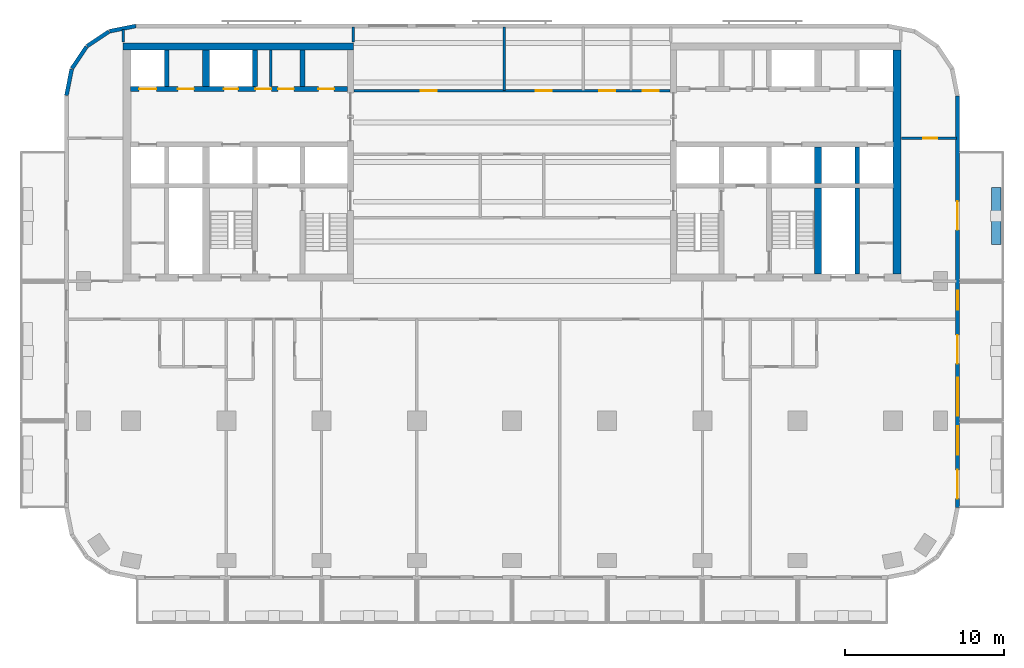
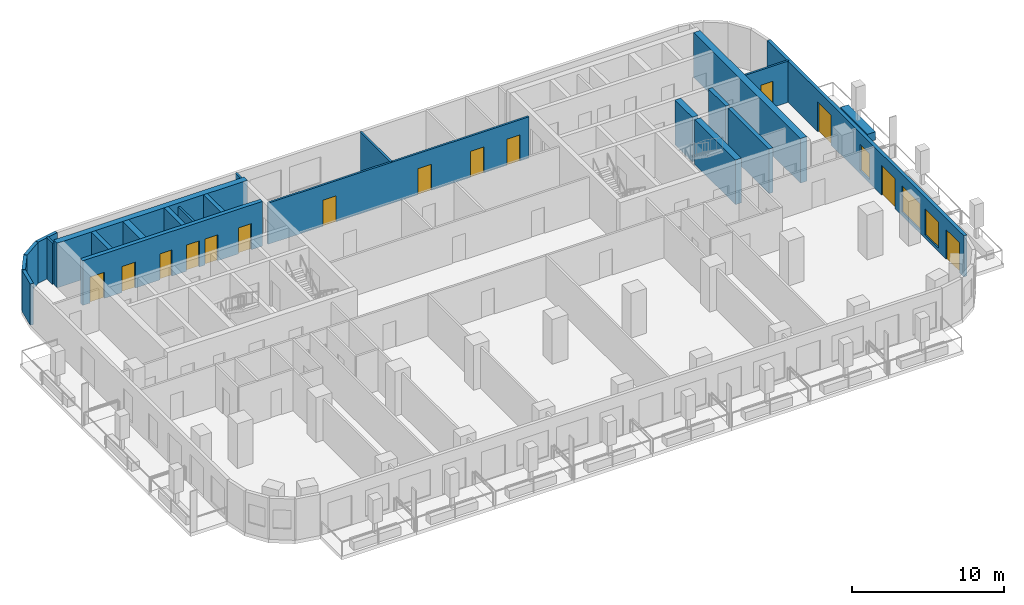
# One storey, part 6 of 11: 23 walls, 14 doors, 3 windows, 17 openings.
"""IFC4 building model written with IfcOpenShell, lengths in metres."""

from ifc_helpers import new_model, si_unit, direction, frame, frame_2d, origin, place, context, subcontext, project, spatial, rectangle, extrude, material, layer, layer_set, type_object, element, fill, save


model = new_model("IFC4")

# Units and contexts
model_context = context("Model", 3, precision=1e-05, world=origin(), true_north=direction((0.0, 1.0)))
body_context = subcontext(model_context, "Body", "Model", "MODEL_VIEW")
ifc_project = project(units=[si_unit("LENGTHUNIT", "METRE"), si_unit("AREAUNIT", "SQUARE_METRE"), si_unit("VOLUMEUNIT", "CUBIC_METRE"), si_unit("PLANEANGLEUNIT", "RADIAN"), si_unit("MASSUNIT", "GRAM", prefix="KILO")], contexts=[model_context])

# Site, building, storey
site_placement = place(None, origin())
site = spatial("IfcSite", under=ifc_project, at=site_placement, CompositionType="ELEMENT")
building_placement = place(site_placement, origin())
building = spatial("IfcBuilding", under=site, at=building_placement, Name="Torana Hotel and Residences", CompositionType="ELEMENT")
storey_placement = place(building_placement, frame((0.0, 0.0, 138.0)))
storey = spatial("IfcBuildingStorey", under=building, at=storey_placement, Name="L35", CompositionType="ELEMENT", Elevation=138.0)

# Wall, openings, doors
ifc_material_1 = material(Name="Concrete C70/85", Category="concrete")
ifc_layer_1 = layer(ifc_material_1, 0.300048828125)
ifc_layer_set_1 = layer_set([ifc_layer_1], Name="CORE WALL 300 C70/85")
wall_type_1 = type_object("IfcWallType", Name="CORE WALL 300 C70/85", PredefinedType="SHEAR", material=ifc_layer_set_1)
wall_1_placement = place(storey_placement, frame((-24.050048828125, -2.89990234375, 0.0), z_axis=(0.0, 0.0, 1.0), x_axis=(1.0, 0.0, 0.0)))
wall_1 = element("IfcWall", 1, at=wall_1_placement, inside=storey, type_object=wall_type_1, Name="Core wall W row-N", PredefinedType="SHEAR", context=body_context, shape_type="SweptSolid", body=[
    extrude(rectangle(XDim=13.699951171875, YDim=0.300048828125, at=frame_2d((6.85009765625, 0.0))), origin(), (0.0, 0.0, 1.0), 3.60009765625),
])
opening_1_placement = place(wall_1_placement, frame((0.550048828125, 0.0, 0.0)))
opening_1 = element("IfcOpeningElement", 2, at=opening_1_placement, cuts=wall_1, Name="Opening LD", PredefinedType="OPENING", context=body_context, shape_type="SweptSolid", body=[
    extrude(rectangle(XDim=1.10009765625, YDim=2.10009765625, at=frame_2d((0.550048828125, 1.050048828125))), frame((0.0, 0.159912109375, 0.0), z_axis=(0.0, -1.0, 0.0), x_axis=(1.0, 0.0, 0.0)), (0.0, 0.0, 1.0), 0.320068359375),
])
opening_2_placement = place(wall_1_placement, frame((5.89990234375, 0.0, 0.0)))
opening_2 = element("IfcOpeningElement", 3, at=opening_2_placement, cuts=wall_1, Name="Opening L35-08", PredefinedType="OPENING", context=body_context, shape_type="SweptSolid", body=[
    extrude(rectangle(XDim=0.89990234375, YDim=2.10009765625, at=frame_2d((0.449951171875, 1.050048828125))), frame((0.0, 0.159912109375, 0.0), z_axis=(0.0, -1.0, 0.0), x_axis=(1.0, 0.0, 0.0)), (0.0, 0.0, 1.0), 0.320068359375),
])
opening_3_placement = place(wall_1_placement, frame((11.85009765625, 0.0, 0.0)))
opening_3 = element("IfcOpeningElement", 4, at=opening_3_placement, cuts=wall_1, Name="Opening L35-09", PredefinedType="OPENING", context=body_context, shape_type="SweptSolid", body=[
    extrude(rectangle(XDim=1.0, YDim=2.10009765625, at=frame_2d((0.5, 1.050048828125))), frame((0.0, 0.159912109375, 0.0), z_axis=(0.0, -1.0, 0.0), x_axis=(1.0, 0.0, 0.0)), (0.0, 0.0, 1.0), 0.320068359375),
])
opening_4_placement = place(wall_1_placement, frame((9.3125, 0.0, 0.0)))
opening_4 = element("IfcOpeningElement", 5, at=opening_4_placement, cuts=wall_1, Name="Opening L35-10", PredefinedType="OPENING", context=body_context, shape_type="SweptSolid", body=[
    extrude(rectangle(XDim=1.0, YDim=2.10009765625, at=frame_2d((0.5, 1.050048828125))), frame((0.0, 0.159912109375, 0.0), z_axis=(0.0, -1.0, 0.0), x_axis=(1.0, 0.0, 0.0)), (0.0, 0.0, 1.0), 0.320068359375),
])
opening_5_placement = place(wall_1_placement, frame((7.887451171875, 0.0, 0.0)))
opening_5 = element("IfcOpeningElement", 6, at=opening_5_placement, cuts=wall_1, Name="Opening L35-11", PredefinedType="OPENING", context=body_context, shape_type="SweptSolid", body=[
    extrude(rectangle(XDim=1.0, YDim=2.10009765625, at=frame_2d((0.5, 1.050048828125))), frame((0.0, 0.159912109375, 0.0), z_axis=(0.0, -1.0, 0.0), x_axis=(1.0, 0.0, 0.0)), (0.0, 0.0, 1.0), 0.320068359375),
])
opening_6_placement = place(wall_1_placement, frame((3.0, 0.0, 0.0)))
opening_6 = element("IfcOpeningElement", 7, at=opening_6_placement, cuts=wall_1, Name="Opening L35-12", PredefinedType="OPENING", context=body_context, shape_type="SweptSolid", body=[
    extrude(rectangle(XDim=1.0, YDim=2.10009765625, at=frame_2d((0.5, 1.050048828125))), frame((0.0, 0.159912109375, 0.0), z_axis=(0.0, -1.0, 0.0), x_axis=(1.0, 0.0, 0.0)), (0.0, 0.0, 1.0), 0.320068359375),
])
ifc_material_2 = material(Name="Steel S235", Category="steel")
door_type_1 = type_object("IfcDoorType", Name="CORE ROOM FIRE DOOR D14 1000x2100", OperationType="SINGLE_SWING_LEFT", PredefinedType="DOOR", material=ifc_material_2)
door_1_placement = place(opening_3_placement, origin())
door_1 = element("IfcDoor", 8, at=door_1_placement, inside=storey, type_object=door_type_1, Name="N0 door L35", OperationType="SINGLE_SWING_RIGHT", OverallHeight=2.10009765625, OverallWidth=1.0, PredefinedType="DOOR", context=body_context, shape_type="SweptSolid", body=[
    extrude(rectangle(XDim=1.0, YDim=2.10009765625, at=frame_2d((0.5, 1.050048828125))), frame((0.0, 0.02490234375, 0.0), z_axis=(0.0, -1.0, 0.0), x_axis=(1.0, 0.0, 0.0)), (0.0, 0.0, 1.0), 0.050048828125),
])
fill(opening_3, door_1)
door_2_placement = place(opening_4_placement, origin())
door_2 = element("IfcDoor", 9, at=door_2_placement, inside=storey, type_object=door_type_1, Name="N1A door L35", OperationType="SINGLE_SWING_RIGHT", OverallHeight=2.10009765625, OverallWidth=1.0, PredefinedType="DOOR", context=body_context, shape_type="SweptSolid", body=[
    extrude(rectangle(XDim=1.0, YDim=2.10009765625, at=frame_2d((0.5, 1.050048828125))), frame((0.0, 0.02490234375, 0.0), z_axis=(0.0, -1.0, 0.0), x_axis=(1.0, 0.0, 0.0)), (0.0, 0.0, 1.0), 0.050048828125),
])
fill(opening_4, door_2)
door_3_placement = place(opening_5_placement, origin())
door_3 = element("IfcDoor", 10, at=door_3_placement, inside=storey, type_object=door_type_1, Name="N1B door L35", OperationType="SINGLE_SWING_RIGHT", OverallHeight=2.10009765625, OverallWidth=1.0, PredefinedType="DOOR", context=body_context, shape_type="SweptSolid", body=[
    extrude(rectangle(XDim=1.0, YDim=2.10009765625, at=frame_2d((0.5, 1.050048828125))), frame((0.0, 0.02490234375, 0.0), z_axis=(0.0, -1.0, 0.0), x_axis=(1.0, 0.0, 0.0)), (0.0, 0.0, 1.0), 0.050048828125),
])
fill(opening_5, door_3)
door_4_placement = place(opening_6_placement, origin())
door_4 = element("IfcDoor", 11, at=door_4_placement, inside=storey, type_object=door_type_1, Name="Freed-S1 door L35", OperationType="SINGLE_SWING_RIGHT", OverallHeight=2.10009765625, OverallWidth=1.0, PredefinedType="DOOR", context=body_context, shape_type="SweptSolid", body=[
    extrude(rectangle(XDim=1.0, YDim=2.10009765625, at=frame_2d((0.5, 1.050048828125))), frame((0.0, 0.02490234375, 0.0), z_axis=(0.0, -1.0, 0.0), x_axis=(1.0, 0.0, 0.0)), (0.0, 0.0, 1.0), 0.050048828125),
])
fill(opening_6, door_4)
ifc_material_3 = material(Name="Stainless steel 316", Category="steel")
door_type_2 = type_object("IfcDoorType", Name="LIFT LANDING DOOR LD 1100x2100", OperationType="DOUBLE_DOOR_SLIDING", PredefinedType="USERDEFINED", material=ifc_material_3)
door_5_placement = place(opening_1_placement, origin())
door_5 = element("IfcDoor", 12, at=door_5_placement, inside=storey, type_object=door_type_2, Name="Lift landing door M1 L35", ObjectType="LIFT LANDING DOOR", OperationType="DOUBLE_DOOR_SLIDING", OverallHeight=2.10009765625, OverallWidth=1.10009765625, PredefinedType="USERDEFINED", context=body_context, shape_type="SweptSolid", body=[
    extrude(rectangle(XDim=1.10009765625, YDim=2.10009765625, at=frame_2d((0.550048828125, 1.050048828125))), frame((0.0, 0.02490234375, 0.0), z_axis=(0.0, -1.0, 0.0), x_axis=(1.0, 0.0, 0.0)), (0.0, 0.0, 1.0), 0.050048828125),
])
fill(opening_1, door_5)
ifc_material_4 = material(Name="Steel S235", Category="steel")
door_type_3 = type_object("IfcDoorType", Name="RISER ACCESS DOOR D5 900x2100", OperationType="SINGLE_SWING_LEFT", PredefinedType="DOOR", material=ifc_material_4)
door_6_placement = place(opening_2_placement, origin())
door_6 = element("IfcDoor", 13, at=door_6_placement, inside=storey, type_object=door_type_3, Name="N2 door L35", OperationType="SINGLE_SWING_RIGHT", OverallHeight=2.10009765625, OverallWidth=0.89990234375, PredefinedType="DOOR", context=body_context, shape_type="SweptSolid", body=[
    extrude(rectangle(XDim=0.89990234375, YDim=2.10009765625, at=frame_2d((0.449951171875, 1.050048828125))), frame((0.0, 0.02490234375, 0.0), z_axis=(0.0, -1.0, 0.0), x_axis=(1.0, 0.0, 0.0)), (0.0, 0.0, 1.0), 0.050048828125),
])
fill(opening_2, door_6)

# Walls
for number, where, z_axis, x_axis, name in (
    (14, (-13.199951171875, -2.75, 0.0), (0.0, 0.0, 1.0), (0.0, 1.0, 0.0), "Core wall W x3.05-N"),
    (15, (-16.199951171875, -2.75, 0.0), (0.0, 0.0, 1.0), (0.0, 1.0, 0.0), "Core wall W x6.05-N"),
    (16, (-21.75, -2.75, 0.0), (0.0, 0.0, 1.0), (0.0, 1.0, 0.0), "Core wall W mm-N"),
    (17, (21.75, -8.85009765625, 0.0), (0.0, 0.0, 1.0), (0.0, 1.0, 0.0), "Core wall E mm-S"),
):
    element("IfcWall", number, at=place(storey_placement, frame(where, z_axis=z_axis, x_axis=x_axis)), inside=storey, type_object=wall_type_1, Name=name, PredefinedType="SHEAR", context=body_context, shape_type="SweptSolid", body=[
        extrude(rectangle(XDim=2.300048828125, YDim=0.300048828125, at=frame_2d((1.14990234375, 0.0))), origin(), (0.0, 0.0, 1.0), 3.60009765625),
    ])
wall_2_placement = place(storey_placement, frame((21.75, -14.550048828125, 0.0), z_axis=(0.0, 0.0, 1.0), x_axis=(0.0, 1.0, 0.0)))
element("IfcWall", 18, at=wall_2_placement, inside=storey, type_object=wall_type_1, Name="Core wall E mm-band", PredefinedType="SHEAR", context=body_context, shape_type="SweptSolid", body=[
    extrude(rectangle(XDim=5.400146484375, YDim=0.300048828125, at=frame_2d((2.7001953125, 0.0))), origin(), (0.0, 0.0, 1.0), 3.60009765625),
])
ifc_material_5 = material(Name="Concrete C70/85", Category="concrete")
ifc_layer_2 = layer(ifc_material_5, 0.449951171875)
ifc_layer_set_2 = layer_set([ifc_layer_2], Name="CORE WALL 450 C70/85")
wall_type_2 = type_object("IfcWallType", Name="CORE WALL 450 C70/85", PredefinedType="SHEAR", material=ifc_layer_set_2)
wall_3_placement = place(storey_placement, frame((-24.5, -0.22509765625, 0.0), z_axis=(0.0, 0.0, 1.0), x_axis=(1.0, 0.0, 0.0)))
element("IfcWall", 19, at=wall_3_placement, inside=storey, type_object=wall_type_2, Name="Core wall W rear", PredefinedType="SHEAR", context=body_context, shape_type="SweptSolid", body=[
    extrude(rectangle(XDim=14.5, YDim=0.449951171875, at=frame_2d((7.25, 0.0))), origin(), (0.0, 0.0, 1.0), 3.60009765625),
])
for number, where, z_axis, x_axis, name in (
    (20, (-19.27490234375, -2.75, 0.0), (0.0, 0.0, 1.0), (0.0, 1.0, 0.0), "Core wall W hm-N"),
    (21, (19.27490234375, -8.85009765625, 0.0), (0.0, 0.0, 1.0), (0.0, 1.0, 0.0), "Core wall E hm-S"),
):
    element("IfcWall", number, at=place(storey_placement, frame(where, z_axis=z_axis, x_axis=x_axis)), inside=storey, type_object=wall_type_2, Name=name, PredefinedType="SHEAR", context=body_context, shape_type="SweptSolid", body=[
        extrude(rectangle(XDim=2.300048828125, YDim=0.449951171875, at=frame_2d((1.14990234375, 0.0))), origin(), (0.0, 0.0, 1.0), 3.60009765625),
    ])
wall_4_placement = place(storey_placement, frame((19.27490234375, -14.550048828125, 0.0), z_axis=(0.0, 0.0, 1.0), x_axis=(0.0, 1.0, 0.0)))
element("IfcWall", 22, at=wall_4_placement, inside=storey, type_object=wall_type_2, Name="Core wall E hm-band", PredefinedType="SHEAR", context=body_context, shape_type="SweptSolid", body=[
    extrude(rectangle(XDim=5.400146484375, YDim=0.449951171875, at=frame_2d((2.7001953125, 0.0))), origin(), (0.0, 0.0, 1.0), 3.60009765625),
])
ifc_material_6 = material(Name="Concrete C70/85", Category="concrete")
ifc_layer_3 = layer(ifc_material_6, 0.5)
ifc_layer_set_3 = layer_set([ifc_layer_3], Name="CORE WALL 500 C70/85")
wall_type_3 = type_object("IfcWallType", Name="CORE WALL 500 C70/85", PredefinedType="SHEAR", material=ifc_layer_set_3)
wall_5_placement = place(storey_placement, frame((24.25, -14.550048828125, 0.0), z_axis=(0.0, 0.0, 1.0), x_axis=(0.0, 1.0, 0.0)))
element("IfcWall", 23, at=wall_5_placement, inside=storey, type_object=wall_type_3, Name="Core wall E outer", PredefinedType="SHEAR", context=body_context, shape_type="SweptSolid", body=[
    extrude(rectangle(XDim=14.10009765625, YDim=0.5, at=frame_2d((7.050048828125, 0.0))), origin(), (0.0, 0.0, 1.0), 3.60009765625),
])
ifc_material_7 = material(Name="Black aluminium composite panel", Category="aluminium")
ifc_layer_4 = layer(ifc_material_7, 0.00390625, Name="Cladding", Category="cladding")
ifc_material_8 = material(Name="Ventilated air cavity")
ifc_layer_5 = layer(ifc_material_8, 0.0400390625, Name="Ventilated cavity", Category="cavity")
ifc_material_9 = material(Name="Mineral wool insulation")
ifc_layer_6 = layer(ifc_material_9, 0.090087890625, Name="Insulation", Category="insulation")
ifc_material_10 = material(Name="Steel S280GD", Category="steel")
ifc_layer_7 = layer(ifc_material_10, 0.092041015625, Name="Steel stud frame", Category="structure")
ifc_material_11 = material(Name="Fire rated plasterboard")
ifc_layer_8 = layer(ifc_material_11, 0.011962890625, Name="Inner board", Category="finish")
ifc_layer_9 = layer(ifc_material_11, 0.011962890625, Name="Second board", Category="finish")
ifc_layer_set_4 = layer_set([ifc_layer_4, ifc_layer_5, ifc_layer_6, ifc_layer_7, ifc_layer_8, ifc_layer_9], Name="EW1 EXTERNAL WALL BLACK METAL CLAD 250")
wall_type_4 = type_object("IfcWallType", Name="EW1 EXTERNAL WALL BLACK METAL CLAD 250", PredefinedType="SOLIDWALL", material=ifc_layer_set_4)
wall_6_placement = place(storey_placement, frame((-23.69970703125, 1.072509765625, 0.0), z_axis=(0.0, 0.0, 1.0), x_axis=(-0.980803419081, -0.194999110559, 0.0)))
element("IfcWall", 24, at=wall_6_placement, inside=storey, type_object=wall_type_4, Name="External wall L35 e0.5", PredefinedType="SOLIDWALL", context=body_context, shape_type="SweptSolid", body=[
    extrude(rectangle(XDim=1.681396484375, YDim=0.25, at=frame_2d((0.8408203125, 0.0))), origin(), (0.0, 0.0, 1.0), 3.320068359375),
])
for number, where, z_axis, x_axis, name in (
    (25, (-25.39404296875, 0.725830078125, 0.0), (0.0, 0.0, 1.0), (-0.831482937015, -0.55555029066, 0.0), "External wall L35 e0.6"),
    (26, (-26.8056640625, -0.228759765625, 0.0), (0.0, 0.0, 1.0), (-0.55555029066, -0.831482937015, 0.0), "External wall L35 e0.7"),
):
    element("IfcWall", number, at=place(storey_placement, frame(where, z_axis=z_axis, x_axis=x_axis)), inside=storey, type_object=wall_type_4, Name=name, PredefinedType="SOLIDWALL", context=body_context, shape_type="SweptSolid", body=[
        extrude(rectangle(XDim=1.65625, YDim=0.25, at=frame_2d((0.828125, 0.0))), origin(), (0.0, 0.0, 1.0), 3.320068359375),
    ])
wall_7_placement = place(storey_placement, frame((-27.74462890625, -1.651123046875, 0.0), z_axis=(0.0, 0.0, 1.0), x_axis=(-0.194999110559, -0.980803419081, 0.0)))
element("IfcWall", 27, at=wall_7_placement, inside=storey, type_object=wall_type_4, Name="External wall L35 e0.8", PredefinedType="SOLIDWALL", context=body_context, shape_type="SweptSolid", body=[
    extrude(rectangle(XDim=1.681396484375, YDim=0.25, at=frame_2d((0.8408203125, 0.0))), origin(), (0.0, 0.0, 1.0), 3.320068359375),
])

# Wall, openings, doors, windows
wall_8_placement = place(storey_placement, frame((28.074951171875, -29.275390625, 0.0), z_axis=(0.0, 0.0, 1.0), x_axis=(0.0, 1.0, 0.0)))
wall_8 = element("IfcWall", 28, at=wall_8_placement, inside=storey, type_object=wall_type_4, Name="External wall L35 e0.19", PredefinedType="SOLIDWALL", context=body_context, shape_type="SweptSolid", body=[
    extrude(rectangle(XDim=25.95068359375, YDim=0.25, at=frame_2d((12.975341796875, 0.0))), origin(), (0.0, 0.0, 1.0), 3.320068359375),
])
opening_7_placement = place(wall_8_placement, frame((0.575439453125, 0.0, 0.0)))
opening_7 = element("IfcOpeningElement", 29, at=opening_7_placement, cuts=wall_8, Name="Opening L35-E09", PredefinedType="OPENING", context=body_context, shape_type="SweptSolid", body=[
    extrude(rectangle(XDim=1.800048828125, YDim=2.39990234375, at=frame_2d((0.89990234375, 1.199951171875))), frame((0.0, 0.135009765625, 0.0), z_axis=(0.0, -1.0, 0.0), x_axis=(1.0, 0.0, 0.0)), (0.0, 0.0, 1.0), 0.27001953125),
])
opening_8_placement = place(wall_8_placement, frame((3.325439453125, 0.0, 0.300048828125)))
opening_8 = element("IfcOpeningElement", 30, at=opening_8_placement, cuts=wall_8, Name="Opening W2", PredefinedType="OPENING", context=body_context, shape_type="SweptSolid", body=[
    extrude(rectangle(XDim=1.800048828125, YDim=2.10009765625, at=frame_2d((0.89990234375, 1.050048828125))), frame((0.0, 0.135009765625, 0.0), z_axis=(0.0, -1.0, 0.0), x_axis=(1.0, 0.0, 0.0)), (0.0, 0.0, 1.0), 0.27001953125),
])
opening_9_placement = place(wall_8_placement, frame((5.775390625, 0.0, 0.300048828125)))
opening_9 = element("IfcOpeningElement", 31, at=opening_9_placement, cuts=wall_8, Name="Opening W1", PredefinedType="OPENING", context=body_context, shape_type="SweptSolid", body=[
    extrude(rectangle(XDim=2.39990234375, YDim=2.10009765625, at=frame_2d((1.199951171875, 1.050048828125))), frame((0.0, 0.135009765625, 0.0), z_axis=(0.0, -1.0, 0.0), x_axis=(1.0, 0.0, 0.0)), (0.0, 0.0, 1.0), 0.27001953125),
])
opening_10_placement = place(wall_8_placement, frame((9.075439453125, 0.0, 0.0)))
opening_10 = element("IfcOpeningElement", 32, at=opening_10_placement, cuts=wall_8, Name="Opening L35-E10", PredefinedType="OPENING", context=body_context, shape_type="SweptSolid", body=[
    extrude(rectangle(XDim=1.800048828125, YDim=2.39990234375, at=frame_2d((0.89990234375, 1.199951171875))), frame((0.0, 0.135009765625, 0.0), z_axis=(0.0, -1.0, 0.0), x_axis=(1.0, 0.0, 0.0)), (0.0, 0.0, 1.0), 0.27001953125),
])
opening_11_placement = place(wall_8_placement, frame((12.475341796875, 0.0, 0.300048828125)))
opening_11 = element("IfcOpeningElement", 33, at=opening_11_placement, cuts=wall_8, Name="Opening W7", PredefinedType="OPENING", context=body_context, shape_type="SweptSolid", body=[
    extrude(rectangle(XDim=1.199951171875, YDim=2.10009765625, at=frame_2d((0.60009765625, 1.050048828125))), frame((0.0, 0.135009765625, 0.0), z_axis=(0.0, -1.0, 0.0), x_axis=(1.0, 0.0, 0.0)), (0.0, 0.0, 1.0), 0.27001953125),
])
opening_12_placement = place(wall_8_placement, frame((17.50048828125, 0.0, 0.0)))
opening_12 = element("IfcOpeningElement", 34, at=opening_12_placement, cuts=wall_8, Name="Opening L35-E11", PredefinedType="OPENING", context=body_context, shape_type="SweptSolid", body=[
    extrude(rectangle(XDim=1.800048828125, YDim=2.39990234375, at=frame_2d((0.89990234375, 1.199951171875))), frame((0.0, 0.135009765625, 0.0), z_axis=(0.0, -1.0, 0.0), x_axis=(1.0, 0.0, 0.0)), (0.0, 0.0, 1.0), 0.27001953125),
])
ifc_material_12 = material(Name="Dark glass in black aluminium frame", Category="aluminium")
door_type_4 = type_object("IfcDoorType", Name="DB1 BALCONY DOOR 1800x2400", OperationType="DOUBLE_DOOR_SINGLE_SWING", PredefinedType="DOOR", material=ifc_material_12)
door_7_placement = place(opening_7_placement, origin())
door_7 = element("IfcDoor", 35, at=door_7_placement, inside=storey, type_object=door_type_4, Name="Balcony door L35", OperationType="DOUBLE_DOOR_SINGLE_SWING", OverallHeight=2.39990234375, OverallWidth=1.800048828125, PredefinedType="DOOR", context=body_context, shape_type="SweptSolid", body=[
    extrude(rectangle(XDim=1.800048828125, YDim=2.39990234375, at=frame_2d((0.89990234375, 1.199951171875))), frame((0.0, 0.02490234375, 0.0), z_axis=(0.0, -1.0, 0.0), x_axis=(1.0, 0.0, 0.0)), (0.0, 0.0, 1.0), 0.050048828125),
])
fill(opening_7, door_7)
door_8_placement = place(opening_10_placement, origin())
door_8 = element("IfcDoor", 36, at=door_8_placement, inside=storey, type_object=door_type_4, Name="Balcony door L35", OperationType="DOUBLE_DOOR_SINGLE_SWING", OverallHeight=2.39990234375, OverallWidth=1.800048828125, PredefinedType="DOOR", context=body_context, shape_type="SweptSolid", body=[
    extrude(rectangle(XDim=1.800048828125, YDim=2.39990234375, at=frame_2d((0.89990234375, 1.199951171875))), frame((0.0, 0.02490234375, 0.0), z_axis=(0.0, -1.0, 0.0), x_axis=(1.0, 0.0, 0.0)), (0.0, 0.0, 1.0), 0.050048828125),
])
fill(opening_10, door_8)
door_9_placement = place(opening_12_placement, origin())
door_9 = element("IfcDoor", 37, at=door_9_placement, inside=storey, type_object=door_type_4, Name="Balcony door L35", OperationType="DOUBLE_DOOR_SINGLE_SWING", OverallHeight=2.39990234375, OverallWidth=1.800048828125, PredefinedType="DOOR", context=body_context, shape_type="SweptSolid", body=[
    extrude(rectangle(XDim=1.800048828125, YDim=2.39990234375, at=frame_2d((0.89990234375, 1.199951171875))), frame((0.0, 0.02490234375, 0.0), z_axis=(0.0, -1.0, 0.0), x_axis=(1.0, 0.0, 0.0)), (0.0, 0.0, 1.0), 0.050048828125),
])
fill(opening_12, door_9)
ifc_material_13 = material(Name="Dark glass in black aluminium frame", Category="aluminium")
window_type_1 = type_object("IfcWindowType", Name="W1 HOTEL ROOM WINDOW 2400x2100", PartitioningType="SINGLE_PANEL", PredefinedType="WINDOW", material=ifc_material_13)
window_1_placement = place(opening_9_placement, origin())
window_1 = element("IfcWindow", 38, at=window_1_placement, inside=storey, type_object=window_type_1, Name="Window L35", OverallHeight=2.10009765625, OverallWidth=2.39990234375, PartitioningType="SINGLE_PANEL", PredefinedType="WINDOW", context=body_context, shape_type="SweptSolid", body=[
    extrude(rectangle(XDim=2.39990234375, YDim=2.10009765625, at=frame_2d((1.199951171875, 1.050048828125))), frame((0.0, 0.030029296875, 0.0), z_axis=(0.0, -1.0, 0.0), x_axis=(1.0, 0.0, 0.0)), (0.0, 0.0, 1.0), 0.06005859375),
])
fill(opening_9, window_1)
ifc_material_14 = material(Name="Dark glass in black aluminium frame", Category="aluminium")
window_type_2 = type_object("IfcWindowType", Name="W2 HOTEL ROOM WINDOW NARROW 1800x2100", PartitioningType="SINGLE_PANEL", PredefinedType="WINDOW", material=ifc_material_14)
window_2_placement = place(opening_8_placement, origin())
window_2 = element("IfcWindow", 39, at=window_2_placement, inside=storey, type_object=window_type_2, Name="Window L35", OverallHeight=2.10009765625, OverallWidth=1.800048828125, PartitioningType="SINGLE_PANEL", PredefinedType="WINDOW", context=body_context, shape_type="SweptSolid", body=[
    extrude(rectangle(XDim=1.800048828125, YDim=2.10009765625, at=frame_2d((0.89990234375, 1.050048828125))), frame((0.0, 0.030029296875, 0.0), z_axis=(0.0, -1.0, 0.0), x_axis=(1.0, 0.0, 0.0)), (0.0, 0.0, 1.0), 0.06005859375),
])
fill(opening_8, window_2)
ifc_material_15 = material(Name="Dark glass in black aluminium frame", Category="aluminium")
window_type_3 = type_object("IfcWindowType", Name="W7 HOTEL CORRIDOR WINDOW 1200x2100", PartitioningType="SINGLE_PANEL", PredefinedType="WINDOW", material=ifc_material_15)
window_3_placement = place(opening_11_placement, origin())
window_3 = element("IfcWindow", 40, at=window_3_placement, inside=storey, type_object=window_type_3, Name="Window L35", OverallHeight=2.10009765625, OverallWidth=1.199951171875, PartitioningType="SINGLE_PANEL", PredefinedType="WINDOW", context=body_context, shape_type="SweptSolid", body=[
    extrude(rectangle(XDim=1.199951171875, YDim=2.10009765625, at=frame_2d((0.60009765625, 1.050048828125))), frame((0.0, 0.030029296875, 0.0), z_axis=(0.0, -1.0, 0.0), x_axis=(1.0, 0.0, 0.0)), (0.0, 0.0, 1.0), 0.06005859375),
])
fill(opening_11, window_3)

# Wall
ifc_material_16 = material(Name="Gypsum plaster")
ifc_layer_10 = layer(ifc_material_16, 0.014892578125, Name="Plaster", Category="finish")
ifc_material_17 = material(Name="Concrete blockwork", Category="masonry")
ifc_layer_11 = layer(ifc_material_17, 0.1201171875, Name="Blockwork", Category="structure")
ifc_layer_12 = layer(ifc_material_16, 0.014892578125, Name="Plaster", Category="finish")
ifc_layer_set_5 = layer_set([ifc_layer_10, ifc_layer_11, ifc_layer_12], Name="FIRE PARTITION 150 BLOCKWORK")
wall_type_5 = type_object("IfcWallType", Name="FIRE PARTITION 150 BLOCKWORK", PredefinedType="PARTITIONING", material=ifc_layer_set_5)
wall_9_placement = place(storey_placement, frame((-15.199951171875, -2.75, 0.0), z_axis=(0.0, 0.0, 1.0), x_axis=(0.0, 1.0, 0.0)))
element("IfcWall", 41, at=wall_9_placement, inside=storey, type_object=wall_type_5, Name="Core partition L35", PredefinedType="PARTITIONING", context=body_context, shape_type="SweptSolid", body=[
    extrude(rectangle(XDim=2.300048828125, YDim=0.14990234375, at=frame_2d((1.14990234375, 0.0))), origin(), (0.0, 0.0, 1.0), 3.300048828125),
])

# Wall, openings, doors
wall_10_placement = place(storey_placement, frame((-9.949951171875, -3.0, 0.0), z_axis=(0.0, 0.0, 1.0), x_axis=(1.0, 0.0, 0.0)))
wall_10 = element("IfcWall", 42, at=wall_10_placement, inside=storey, type_object=wall_type_5, Name="Partition L35", PredefinedType="PARTITIONING", context=body_context, shape_type="SweptSolid", body=[
    extrude(rectangle(XDim=19.89990234375, YDim=0.14990234375, at=frame_2d((9.949951171875, 0.0))), origin(), (0.0, 0.0, 1.0), 3.320068359375),
])
opening_13_placement = place(wall_10_placement, frame((4.199951171875, 0.0, 0.0)))
opening_13 = element("IfcOpeningElement", 43, at=opening_13_placement, cuts=wall_10, Name="Opening L35-47", PredefinedType="OPENING", context=body_context, shape_type="SweptSolid", body=[
    extrude(rectangle(XDim=1.0, YDim=2.10009765625, at=frame_2d((0.5, 1.050048828125))), frame((0.0, 0.0849609375, 0.0), z_axis=(0.0, -1.0, 0.0), x_axis=(1.0, 0.0, 0.0)), (0.0, 0.0, 1.0), 0.169921875),
])
opening_14_placement = place(wall_10_placement, frame((11.449951171875, 0.0, 0.0)))
opening_14 = element("IfcOpeningElement", 44, at=opening_14_placement, cuts=wall_10, Name="Opening L35-48", PredefinedType="OPENING", context=body_context, shape_type="SweptSolid", body=[
    extrude(rectangle(XDim=1.0, YDim=2.10009765625, at=frame_2d((0.5, 1.050048828125))), frame((0.0, 0.0849609375, 0.0), z_axis=(0.0, -1.0, 0.0), x_axis=(1.0, 0.0, 0.0)), (0.0, 0.0, 1.0), 0.169921875),
])
opening_15_placement = place(wall_10_placement, frame((15.449951171875, 0.0, 0.0)))
opening_15 = element("IfcOpeningElement", 45, at=opening_15_placement, cuts=wall_10, Name="Opening L35-49", PredefinedType="OPENING", context=body_context, shape_type="SweptSolid", body=[
    extrude(rectangle(XDim=1.0, YDim=2.10009765625, at=frame_2d((0.5, 1.050048828125))), frame((0.0, 0.0849609375, 0.0), z_axis=(0.0, -1.0, 0.0), x_axis=(1.0, 0.0, 0.0)), (0.0, 0.0, 1.0), 0.169921875),
])
opening_16_placement = place(wall_10_placement, frame((18.199951171875, 0.0, 0.0)))
opening_16 = element("IfcOpeningElement", 46, at=opening_16_placement, cuts=wall_10, Name="Opening L35-50", PredefinedType="OPENING", context=body_context, shape_type="SweptSolid", body=[
    extrude(rectangle(XDim=1.0, YDim=2.10009765625, at=frame_2d((0.5, 1.050048828125))), frame((0.0, 0.0849609375, 0.0), z_axis=(0.0, -1.0, 0.0), x_axis=(1.0, 0.0, 0.0)), (0.0, 0.0, 1.0), 0.169921875),
])
ifc_material_18 = material(Name="Steel S235", Category="steel")
door_type_5 = type_object("IfcDoorType", Name="ENTRY FIRE DOOR D6 1000x2100", OperationType="SINGLE_SWING_LEFT", PredefinedType="DOOR", material=ifc_material_18)
door_10_placement = place(opening_13_placement, origin())
door_10 = element("IfcDoor", 47, at=door_10_placement, inside=storey, type_object=door_type_5, Name="Door L35", OperationType="SINGLE_SWING_RIGHT", OverallHeight=2.10009765625, OverallWidth=1.0, PredefinedType="DOOR", context=body_context, shape_type="SweptSolid", body=[
    extrude(rectangle(XDim=1.0, YDim=2.10009765625, at=frame_2d((0.5, 1.050048828125))), frame((0.0, 0.02490234375, 0.0), z_axis=(0.0, -1.0, 0.0), x_axis=(1.0, 0.0, 0.0)), (0.0, 0.0, 1.0), 0.050048828125),
])
fill(opening_13, door_10)
door_11_placement = place(opening_14_placement, origin())
door_11 = element("IfcDoor", 48, at=door_11_placement, inside=storey, type_object=door_type_5, Name="Door L35", OperationType="SINGLE_SWING_RIGHT", OverallHeight=2.10009765625, OverallWidth=1.0, PredefinedType="DOOR", context=body_context, shape_type="SweptSolid", body=[
    extrude(rectangle(XDim=1.0, YDim=2.10009765625, at=frame_2d((0.5, 1.050048828125))), frame((0.0, 0.02490234375, 0.0), z_axis=(0.0, -1.0, 0.0), x_axis=(1.0, 0.0, 0.0)), (0.0, 0.0, 1.0), 0.050048828125),
])
fill(opening_14, door_11)
door_12_placement = place(opening_15_placement, origin())
door_12 = element("IfcDoor", 49, at=door_12_placement, inside=storey, type_object=door_type_5, Name="Door L35", OperationType="SINGLE_SWING_RIGHT", OverallHeight=2.10009765625, OverallWidth=1.0, PredefinedType="DOOR", context=body_context, shape_type="SweptSolid", body=[
    extrude(rectangle(XDim=1.0, YDim=2.10009765625, at=frame_2d((0.5, 1.050048828125))), frame((0.0, 0.02490234375, 0.0), z_axis=(0.0, -1.0, 0.0), x_axis=(1.0, 0.0, 0.0)), (0.0, 0.0, 1.0), 0.050048828125),
])
fill(opening_15, door_12)
door_13_placement = place(opening_16_placement, origin())
door_13 = element("IfcDoor", 50, at=door_13_placement, inside=storey, type_object=door_type_5, Name="Door L35", OperationType="SINGLE_SWING_RIGHT", OverallHeight=2.10009765625, OverallWidth=1.0, PredefinedType="DOOR", context=body_context, shape_type="SweptSolid", body=[
    extrude(rectangle(XDim=1.0, YDim=2.10009765625, at=frame_2d((0.5, 1.050048828125))), frame((0.0, 0.02490234375, 0.0), z_axis=(0.0, -1.0, 0.0), x_axis=(1.0, 0.0, 0.0)), (0.0, 0.0, 1.0), 0.050048828125),
])
fill(opening_16, door_13)

# Walls
ifc_material_19 = material(Name="Gypsum plasterboard")
ifc_layer_13 = layer(ifc_material_19, 0.012451171875, Name="Plasterboard", Category="finish")
ifc_layer_14 = layer(ifc_material_19, 0.012451171875, Name="Plasterboard", Category="finish")
ifc_layer_15 = layer(ifc_material_10, 0.10009765625, Name="Steel studs with mineral wool", Category="insulation")
ifc_layer_16 = layer(ifc_material_19, 0.012451171875, Name="Plasterboard", Category="finish")
ifc_layer_17 = layer(ifc_material_19, 0.012451171875, Name="Plasterboard", Category="finish")
ifc_layer_set_6 = layer_set([ifc_layer_13, ifc_layer_14, ifc_layer_15, ifc_layer_16, ifc_layer_17], Name="PARTITION 150 PLASTERBOARD")
wall_type_6 = type_object("IfcWallType", Name="PARTITION 150 PLASTERBOARD", PredefinedType="PARTITIONING", material=ifc_layer_set_6)
wall_11_placement = place(storey_placement, frame((-0.5, -3.0, 0.0), z_axis=(0.0, 0.0, 1.0), x_axis=(0.0, 1.0, 0.0)))
element("IfcWall", 51, at=wall_11_placement, inside=storey, type_object=wall_type_6, Name="Partition L35", PredefinedType="PARTITIONING", context=body_context, shape_type="SweptSolid", body=[
    extrude(rectangle(XDim=4.02001953125, YDim=0.14990234375, at=frame_2d((2.010009765625, 0.0))), origin(), (0.0, 0.0, 1.0), 3.320068359375),
])
wall_12_placement = place(storey_placement, frame((-10.0, 0.050048828125, 0.0), z_axis=(0.0, 0.0, 1.0), x_axis=(0.0, 1.0, 0.0)))
element("IfcWall", 52, at=wall_12_placement, inside=storey, type_object=wall_type_6, Name="Partition L35", PredefinedType="PARTITIONING", context=body_context, shape_type="SweptSolid", body=[
    extrude(rectangle(XDim=0.969970703125, YDim=0.14990234375, at=frame_2d((0.48486328125, 0.0))), origin(), (0.0, 0.0, 1.0), 3.320068359375),
])
wall_13_placement = place(storey_placement, frame((-24.5, 0.050048828125, 0.0), z_axis=(0.0, 0.0, 1.0), x_axis=(0.0, 1.0, 0.0)))
element("IfcWall", 53, at=wall_13_placement, inside=storey, type_object=wall_type_6, Name="Partition L35", PredefinedType="PARTITIONING", context=body_context, shape_type="SweptSolid", body=[
    extrude(rectangle(XDim=0.807373046875, YDim=0.14990234375, at=frame_2d((0.40380859375, 0.0))), origin(), (0.0, 0.0, 1.0), 3.320068359375),
])

# Wall, opening, door
wall_14_placement = place(storey_placement, frame((24.550048828125, -6.0, 0.0), z_axis=(0.0, 0.0, 1.0), x_axis=(1.0, 0.0, 0.0)))
wall_14 = element("IfcWall", 54, at=wall_14_placement, inside=storey, type_object=wall_type_6, Name="Partition L35", PredefinedType="PARTITIONING", context=body_context, shape_type="SweptSolid", body=[
    extrude(rectangle(XDim=3.469970703125, YDim=0.14990234375, at=frame_2d((1.73486328125, 0.0))), origin(), (0.0, 0.0, 1.0), 3.320068359375),
])
opening_17_placement = place(wall_14_placement, frame((1.35009765625, 0.0, 0.0)))
opening_17 = element("IfcOpeningElement", 55, at=opening_17_placement, cuts=wall_14, Name="Opening L35-59", PredefinedType="OPENING", context=body_context, shape_type="SweptSolid", body=[
    extrude(rectangle(XDim=0.89990234375, YDim=2.10009765625, at=frame_2d((0.449951171875, 1.050048828125))), frame((0.0, 0.0849609375, 0.0), z_axis=(0.0, -1.0, 0.0), x_axis=(1.0, 0.0, 0.0)), (0.0, 0.0, 1.0), 0.169921875),
])
ifc_material_20 = material(Name="Timber door, oiled ash", Category="wood")
door_type_6 = type_object("IfcDoorType", Name="ROOM DOOR D7 900x2100", OperationType="SINGLE_SWING_LEFT", PredefinedType="DOOR", material=ifc_material_20)
door_14_placement = place(opening_17_placement, origin())
door_14 = element("IfcDoor", 56, at=door_14_placement, inside=storey, type_object=door_type_6, Name="Door L35", OperationType="SINGLE_SWING_LEFT", OverallHeight=2.10009765625, OverallWidth=0.89990234375, PredefinedType="DOOR", context=body_context, shape_type="SweptSolid", body=[
    extrude(rectangle(XDim=0.89990234375, YDim=2.10009765625, at=frame_2d((0.449951171875, 1.050048828125))), frame((0.0, 0.02490234375, 0.0), z_axis=(0.0, -1.0, 0.0), x_axis=(1.0, 0.0, 0.0)), (0.0, 0.0, 1.0), 0.050048828125),
])
fill(opening_17, door_14)

# Wall
ifc_material_21 = material(Name="Concrete C40/50 precast", Category="concrete")
ifc_layer_18 = layer(ifc_material_21, 0.10009765625, Name="Planter shell", Category="structure")
ifc_material_22 = material(Name="Root resistant membrane")
ifc_layer_19 = layer(ifc_material_22, 0.00390625, Name="Waterproofing membrane", Category="membrane")
ifc_material_23 = material(Name="Drainage board with filter fleece")
ifc_layer_20 = layer(ifc_material_23, 0.02001953125, Name="Drainage board", Category="drainage")
ifc_material_24 = material(Name="Growing medium")
ifc_layer_21 = layer(ifc_material_24, 0.47607421875, Name="Planting substrate", Category="soil")
ifc_layer_set_7 = layer_set([ifc_layer_18, ifc_layer_19, ifc_layer_20, ifc_layer_21], Name="PL1 BALCONY PLANTER 600")
wall_type_7 = type_object("IfcWallType", Name="PL1 BALCONY PLANTER 600", PredefinedType="USERDEFINED", material=ifc_layer_set_7)
wall_15_placement = place(storey_placement, frame((30.5, -9.10009765625, 0.0), z_axis=(0.0, 0.0, 1.0), x_axis=(0.0, -1.0, 0.0)))
element("IfcWall", 57, at=wall_15_placement, inside=storey, type_object=wall_type_7, Name="Planter 14", ObjectType="PLANTER", PredefinedType="USERDEFINED", context=body_context, shape_type="SweptSolid", body=[
    extrude(rectangle(XDim=3.599853515625, YDim=0.60009765625, at=frame_2d((1.7998046875, 0.0))), origin(), (0.0, 0.0, 1.0), 0.64990234375),
])

save(model, "model.ifc")
